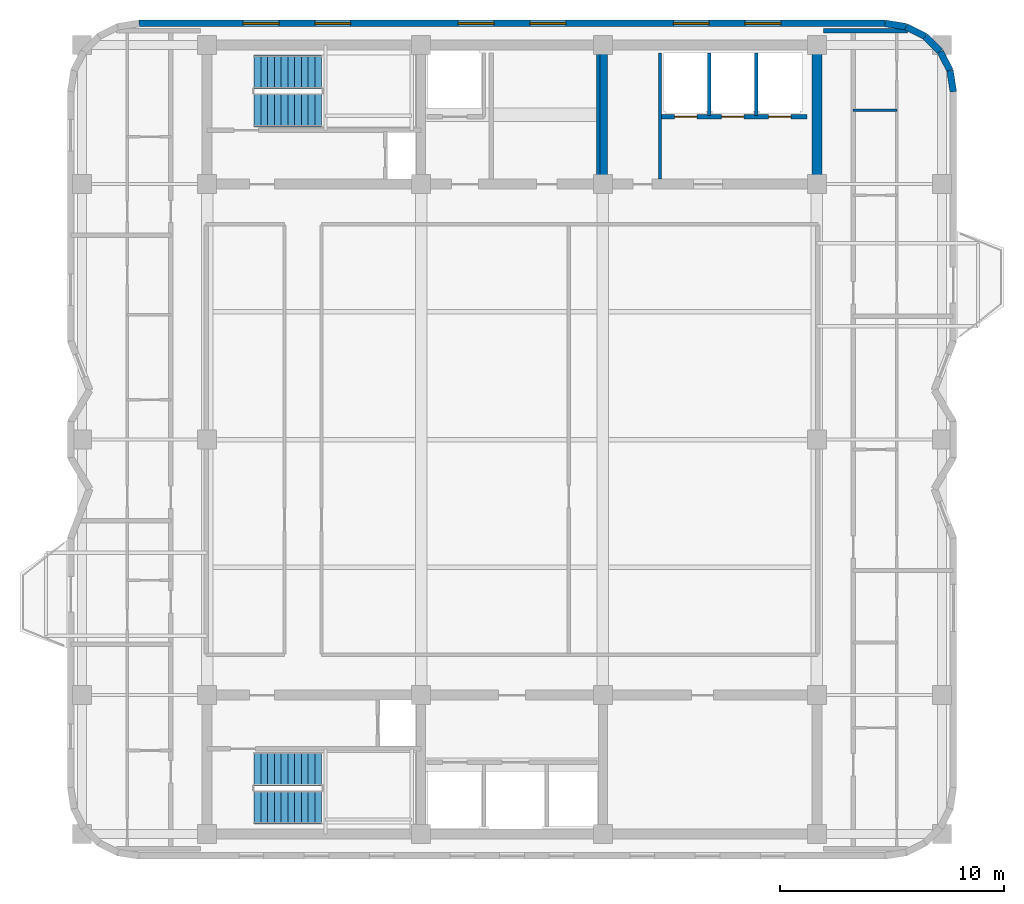
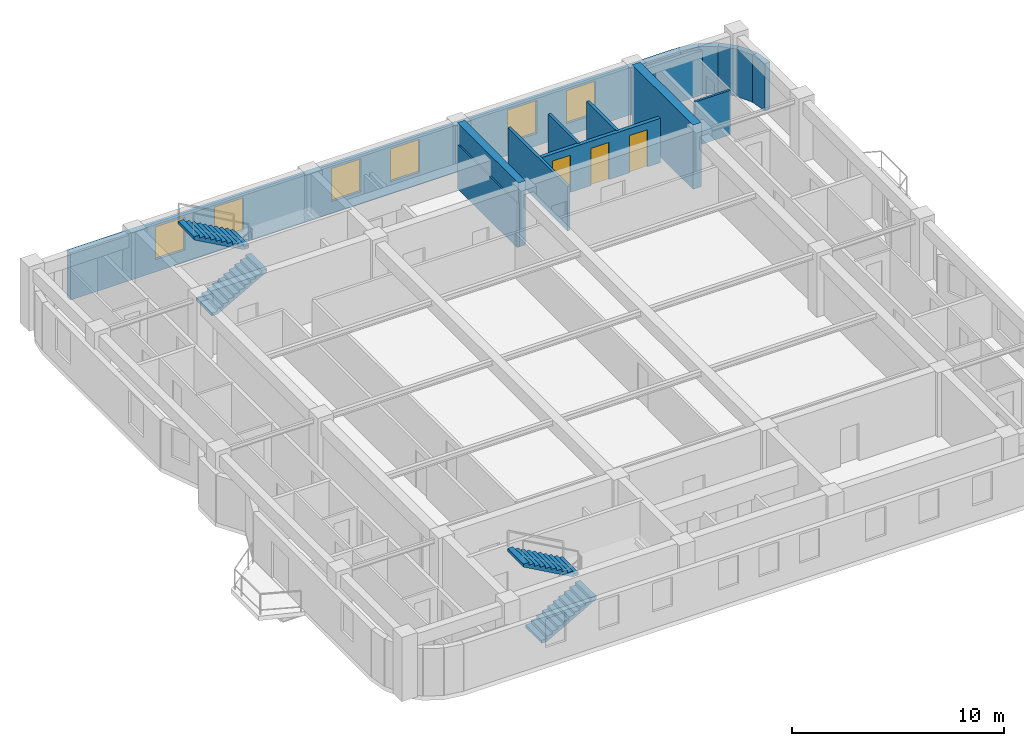
# One storey, part 6 of 8: 15 walls, 6 windows, 4 stair flights, 3 doors, 9 openings, 2 elements without a shape of their own.
"""IFC4 building model written with IfcOpenShell, lengths in metres."""

from ifc_helpers import new_model, si_unit, direction, frame, frame_2d, origin, place, context, subcontext, project, spatial, polyline, rectangle, outline, extrude, material, layer, layer_set, type_object, element, fill, aggregate, save


model = new_model("IFC4")

# Units and contexts
model_context = context("Model", 3, precision=1e-05, world=origin(), true_north=direction((0.0, 1.0)))
body_context = subcontext(model_context, "Body", "Model", "MODEL_VIEW")
ifc_project = project(units=[si_unit("LENGTHUNIT", "METRE"), si_unit("AREAUNIT", "SQUARE_METRE"), si_unit("VOLUMEUNIT", "CUBIC_METRE"), si_unit("PLANEANGLEUNIT", "RADIAN"), si_unit("MASSUNIT", "GRAM", prefix="KILO")], contexts=[model_context])

# Site, building, storey
site_placement = place(None, origin())
site = spatial("IfcSite", under=ifc_project, at=site_placement, CompositionType="ELEMENT")
building_placement = place(site_placement, origin())
building = spatial("IfcBuilding", under=site, at=building_placement, Name="Svetorya Sky Lyceum", CompositionType="ELEMENT")
storey_placement = place(building_placement, frame((0.0, 0.0, 233.199951171875)))
storey = spatial("IfcBuildingStorey", under=building, at=storey_placement, Name="L58", CompositionType="ELEMENT", Elevation=233.199951171875)

# Walls
ifc_material_1 = material(Name="Concrete C40/50", Category="concrete")
ifc_layer_1 = layer(ifc_material_1, 0.39990234375)
ifc_layer_set_1 = layer_set([ifc_layer_1], Name="Concrete C40/50")
wall_type_1 = type_object("IfcWallType", Name="WL-CORE-400", PredefinedType="SHEAR", material=ifc_layer_set_1)
wall_1_placement = place(storey_placement, frame((43.25, 39.824951171875, 0.0), z_axis=(0.0, 0.0, 1.0), x_axis=(0.0, 1.0, 0.0)))
element("IfcWall", 1, at=wall_1_placement, inside=storey, type_object=wall_type_1, Name="L58 NC Internal Shear Web WEB2", PredefinedType="SHEAR", context=body_context, shape_type="SweptSolid", body=[
    extrude(rectangle(XDim=5.75, YDim=0.39990234375, at=frame_2d((2.875, 0.0))), origin(), (0.0, 0.0, 1.0), 3.699951171875),
])
ifc_material_2 = material(Name="Concrete C50/60", Category="concrete")
ifc_layer_2 = layer(ifc_material_2, 0.449951171875)
ifc_layer_set_2 = layer_set([ifc_layer_2], Name="Concrete C50/60")
wall_type_2 = type_object("IfcWallType", Name="WL-CORE-450", PredefinedType="SHEAR", material=ifc_layer_set_2)
wall_2_placement = place(storey_placement, frame((52.800048828125, 39.824951171875, 0.0), z_axis=(0.0, 0.0, 1.0), x_axis=(0.0, 1.0, 0.0)))
element("IfcWall", 2, at=wall_2_placement, inside=storey, type_object=wall_type_2, Name="L58 NC East Core Shear Wall", PredefinedType="SHEAR", context=body_context, shape_type="SweptSolid", body=[
    extrude(rectangle(XDim=5.75, YDim=0.449951171875, at=frame_2d((2.875, 0.0))), origin(), (0.0, 0.0, 1.0), 3.699951171875),
])
ifc_material_3 = material(Name="Putilovo limestone rainscreen on autoclaved cellular masonry", Category="masonry")
ifc_layer_3 = layer(ifc_material_3, 0.300048828125)
ifc_layer_set_3 = layer_set([ifc_layer_3], Name="Putilovo limestone rainscreen on autoclaved cellular masonry")
wall_type_3 = type_object("IfcWallType", Name="WL-EXT-300", PredefinedType="SOLIDWALL", material=ifc_layer_set_3)
wall_3_placement = place(storey_placement, frame((58.889892578125, 43.719970703125, 0.0), z_axis=(0.0, 0.0, 1.0), x_axis=(-0.156304114255, 0.987708977314, 0.0)))
element("IfcWall", 3, at=wall_3_placement, inside=storey, type_object=wall_type_3, Name="L58 Limestone Exterior Wall 19M", PredefinedType="SOLIDWALL", context=body_context, shape_type="SweptSolid", body=[
    extrude(rectangle(XDim=0.954345703125, YDim=0.300048828125, at=frame_2d((0.47705078125, 0.0))), origin(), (0.0, 0.0, 1.0), 2.72998046875),
])
wall_4_placement = place(storey_placement, frame((58.74072265625, 44.66259765625, 0.0), z_axis=(0.0, 0.0, 1.0), x_axis=(-0.45395644796, 0.891023873617, 0.0)))
element("IfcWall", 4, at=wall_4_placement, inside=storey, type_object=wall_type_3, Name="L58 Limestone Exterior Wall 20M", PredefinedType="SOLIDWALL", context=body_context, shape_type="SweptSolid", body=[
    extrude(rectangle(XDim=0.9541015625, YDim=0.300048828125, at=frame_2d((0.47705078125, 0.0))), origin(), (0.0, 0.0, 1.0), 2.72998046875),
])
for number, where, z_axis, x_axis, name in (
    (5, (58.3076171875, 45.5126953125, 0.0), (0.0, 0.0, 1.0), (-0.707106781187, 0.707106781187, 0.0), "L58 Limestone Exterior Wall 21M"),
    (6, (57.6328125, 46.1875, 0.0), (0.0, 0.0, 1.0), (-0.891076589373, 0.453852962833, 0.0), "L58 Limestone Exterior Wall 22M"),
):
    element("IfcWall", number, at=place(storey_placement, frame(where, z_axis=z_axis, x_axis=x_axis)), inside=storey, type_object=wall_type_3, Name=name, PredefinedType="SOLIDWALL", context=body_context, shape_type="SweptSolid", body=[
        extrude(rectangle(XDim=0.954345703125, YDim=0.300048828125, at=frame_2d((0.47705078125, 0.0))), origin(), (0.0, 0.0, 1.0), 2.72998046875),
    ])
wall_5_placement = place(storey_placement, frame((56.782470703125, 46.62060546875, 0.0), z_axis=(0.0, 0.0, 1.0), x_axis=(-0.987663181641, 0.156593229835, 0.0)))
element("IfcWall", 7, at=wall_5_placement, inside=storey, type_object=wall_type_3, Name="L58 Limestone Exterior Wall 23M", PredefinedType="SOLIDWALL", context=body_context, shape_type="SweptSolid", body=[
    extrude(rectangle(XDim=0.9541015625, YDim=0.300048828125, at=frame_2d((0.47705078125, 0.0))), origin(), (0.0, 0.0, 1.0), 2.72998046875),
])

# Wall, openings, windows
wall_6_placement = place(storey_placement, frame((55.840087890625, 46.77001953125, 0.0), z_axis=(0.0, 0.0, 1.0), x_axis=(-1.0, 0.0, 0.0)))
wall_6 = element("IfcWall", 8, at=wall_6_placement, inside=storey, type_object=wall_type_3, Name="L58 Limestone Exterior Wall 24M", PredefinedType="SOLIDWALL", context=body_context, shape_type="SweptSolid", body=[
    extrude(rectangle(XDim=33.280029296875, YDim=0.300048828125, at=frame_2d((16.64013671875, 0.0))), origin(), (0.0, 0.0, 1.0), 2.72998046875),
])
opening_1_placement = place(wall_6_placement, frame((4.64697265625, 0.0, 0.7099609375)))
opening_1 = element("IfcOpeningElement", 9, at=opening_1_placement, cuts=wall_6, Name="Opening W-R4", PredefinedType="OPENING", context=body_context, shape_type="SweptSolid", body=[
    extrude(rectangle(XDim=1.60009765625, YDim=1.89990234375, at=frame_2d((0.800048828125, 0.949951171875))), frame((0.0, 0.159912109375, 0.0), z_axis=(0.0, -1.0, 0.0), x_axis=(1.0, 0.0, 0.0)), (0.0, 0.0, 1.0), 0.320068359375),
])
opening_2_placement = place(wall_6_placement, frame((7.844970703125, 0.0, 0.7099609375)))
opening_2 = element("IfcOpeningElement", 10, at=opening_2_placement, cuts=wall_6, Name="Opening W-R4", PredefinedType="OPENING", context=body_context, shape_type="SweptSolid", body=[
    extrude(rectangle(XDim=1.60009765625, YDim=1.89990234375, at=frame_2d((0.800048828125, 0.949951171875))), frame((0.0, 0.159912109375, 0.0), z_axis=(0.0, -1.0, 0.0), x_axis=(1.0, 0.0, 0.0)), (0.0, 0.0, 1.0), 0.320068359375),
])
opening_3_placement = place(wall_6_placement, frame((14.240966796875, 0.0, 0.7099609375)))
opening_3 = element("IfcOpeningElement", 11, at=opening_3_placement, cuts=wall_6, Name="Opening W-R4", PredefinedType="OPENING", context=body_context, shape_type="SweptSolid", body=[
    extrude(rectangle(XDim=1.60009765625, YDim=1.89990234375, at=frame_2d((0.800048828125, 0.949951171875))), frame((0.0, 0.159912109375, 0.0), z_axis=(0.0, -1.0, 0.0), x_axis=(1.0, 0.0, 0.0)), (0.0, 0.0, 1.0), 0.320068359375),
])
opening_4_placement = place(wall_6_placement, frame((17.43896484375, 0.0, 0.7099609375)))
opening_4 = element("IfcOpeningElement", 12, at=opening_4_placement, cuts=wall_6, Name="Opening W-R4", PredefinedType="OPENING", context=body_context, shape_type="SweptSolid", body=[
    extrude(rectangle(XDim=1.60009765625, YDim=1.89990234375, at=frame_2d((0.800048828125, 0.949951171875))), frame((0.0, 0.159912109375, 0.0), z_axis=(0.0, -1.0, 0.0), x_axis=(1.0, 0.0, 0.0)), (0.0, 0.0, 1.0), 0.320068359375),
])
opening_5_placement = place(wall_6_placement, frame((23.8349609375, 0.0, 0.7099609375)))
opening_5 = element("IfcOpeningElement", 13, at=opening_5_placement, cuts=wall_6, Name="Opening W-R4", PredefinedType="OPENING", context=body_context, shape_type="SweptSolid", body=[
    extrude(rectangle(XDim=1.60009765625, YDim=1.89990234375, at=frame_2d((0.800048828125, 0.949951171875))), frame((0.0, 0.159912109375, 0.0), z_axis=(0.0, -1.0, 0.0), x_axis=(1.0, 0.0, 0.0)), (0.0, 0.0, 1.0), 0.320068359375),
])
opening_6_placement = place(wall_6_placement, frame((27.032958984375, 0.0, 0.7099609375)))
opening_6 = element("IfcOpeningElement", 14, at=opening_6_placement, cuts=wall_6, Name="Opening W-R4", PredefinedType="OPENING", context=body_context, shape_type="SweptSolid", body=[
    extrude(rectangle(XDim=1.60009765625, YDim=1.89990234375, at=frame_2d((0.800048828125, 0.949951171875))), frame((0.0, 0.159912109375, 0.0), z_axis=(0.0, -1.0, 0.0), x_axis=(1.0, 0.0, 0.0)), (0.0, 0.0, 1.0), 0.320068359375),
])
ifc_material_4 = material(Name="Thermally broken aluminium frame with triple low-E glazing", Category="aluminium")
window_type = type_object("IfcWindowType", Name="WN-RES-160", PartitioningType="DOUBLE_PANEL_VERTICAL", PredefinedType="WINDOW", material=ifc_material_4)
window_1_placement = place(opening_1_placement, origin())
window_1 = element("IfcWindow", 15, at=window_1_placement, inside=storey, type_object=window_type, Name="L58 Facade Window W-R4.24M.1", OverallHeight=1.89990234375, OverallWidth=1.60009765625, PartitioningType="SINGLE_PANEL", PredefinedType="WINDOW", context=body_context, shape_type="SweptSolid", body=[
    extrude(rectangle(XDim=1.60009765625, YDim=1.89990234375, at=frame_2d((0.800048828125, 0.949951171875))), frame((0.0, 0.030029296875, 0.0), z_axis=(0.0, -1.0, 0.0), x_axis=(1.0, 0.0, 0.0)), (0.0, 0.0, 1.0), 0.06005859375),
])
fill(opening_1, window_1)
window_2_placement = place(opening_2_placement, origin())
window_2 = element("IfcWindow", 16, at=window_2_placement, inside=storey, type_object=window_type, Name="L58 Facade Window W-R4.24M.2", OverallHeight=1.89990234375, OverallWidth=1.60009765625, PartitioningType="SINGLE_PANEL", PredefinedType="WINDOW", context=body_context, shape_type="SweptSolid", body=[
    extrude(rectangle(XDim=1.60009765625, YDim=1.89990234375, at=frame_2d((0.800048828125, 0.949951171875))), frame((0.0, 0.030029296875, 0.0), z_axis=(0.0, -1.0, 0.0), x_axis=(1.0, 0.0, 0.0)), (0.0, 0.0, 1.0), 0.06005859375),
])
fill(opening_2, window_2)
window_3_placement = place(opening_3_placement, origin())
window_3 = element("IfcWindow", 17, at=window_3_placement, inside=storey, type_object=window_type, Name="L58 Facade Window W-R4.24M.3", OverallHeight=1.89990234375, OverallWidth=1.60009765625, PartitioningType="SINGLE_PANEL", PredefinedType="WINDOW", context=body_context, shape_type="SweptSolid", body=[
    extrude(rectangle(XDim=1.60009765625, YDim=1.89990234375, at=frame_2d((0.800048828125, 0.949951171875))), frame((0.0, 0.030029296875, 0.0), z_axis=(0.0, -1.0, 0.0), x_axis=(1.0, 0.0, 0.0)), (0.0, 0.0, 1.0), 0.06005859375),
])
fill(opening_3, window_3)
window_4_placement = place(opening_4_placement, origin())
window_4 = element("IfcWindow", 18, at=window_4_placement, inside=storey, type_object=window_type, Name="L58 Facade Window W-R4.24M.4", OverallHeight=1.89990234375, OverallWidth=1.60009765625, PartitioningType="SINGLE_PANEL", PredefinedType="WINDOW", context=body_context, shape_type="SweptSolid", body=[
    extrude(rectangle(XDim=1.60009765625, YDim=1.89990234375, at=frame_2d((0.800048828125, 0.949951171875))), frame((0.0, 0.030029296875, 0.0), z_axis=(0.0, -1.0, 0.0), x_axis=(1.0, 0.0, 0.0)), (0.0, 0.0, 1.0), 0.06005859375),
])
fill(opening_4, window_4)
window_5_placement = place(opening_5_placement, origin())
window_5 = element("IfcWindow", 19, at=window_5_placement, inside=storey, type_object=window_type, Name="L58 Facade Window W-R4.24M.5", OverallHeight=1.89990234375, OverallWidth=1.60009765625, PartitioningType="SINGLE_PANEL", PredefinedType="WINDOW", context=body_context, shape_type="SweptSolid", body=[
    extrude(rectangle(XDim=1.60009765625, YDim=1.89990234375, at=frame_2d((0.800048828125, 0.949951171875))), frame((0.0, 0.030029296875, 0.0), z_axis=(0.0, -1.0, 0.0), x_axis=(1.0, 0.0, 0.0)), (0.0, 0.0, 1.0), 0.06005859375),
])
fill(opening_5, window_5)
window_6_placement = place(opening_6_placement, origin())
window_6 = element("IfcWindow", 20, at=window_6_placement, inside=storey, type_object=window_type, Name="L58 Facade Window W-R4.24M.6", OverallHeight=1.89990234375, OverallWidth=1.60009765625, PartitioningType="SINGLE_PANEL", PredefinedType="WINDOW", context=body_context, shape_type="SweptSolid", body=[
    extrude(rectangle(XDim=1.60009765625, YDim=1.89990234375, at=frame_2d((0.800048828125, 0.949951171875))), frame((0.0, 0.030029296875, 0.0), z_axis=(0.0, -1.0, 0.0), x_axis=(1.0, 0.0, 0.0)), (0.0, 0.0, 1.0), 0.06005859375),
])
fill(opening_6, window_6)

# Walls
ifc_material_5 = material(Name="Twin-stud galvanized framing with double fireboard", Category="gypsum")
ifc_layer_4 = layer(ifc_material_5, 0.1201171875)
ifc_layer_set_4 = layer_set([ifc_layer_4], Name="Twin-stud galvanized framing with double fireboard")
wall_type_4 = type_object("IfcWallType", Name="WL-PART-120", PredefinedType="PARTITIONING", material=ifc_layer_set_4)
wall_7_placement = place(storey_placement, frame((54.419921875, 42.89990234375, 0.0), z_axis=(0.0, 0.0, 1.0), x_axis=(1.0, 0.0, 0.0)))
element("IfcWall", 21, at=wall_7_placement, inside=storey, type_object=wall_type_4, Name="L58 Interior Partition E3-WH2", PredefinedType="PARTITIONING", context=body_context, shape_type="SweptSolid", body=[
    extrude(rectangle(XDim=1.9501953125, YDim=0.1201171875, at=frame_2d((0.97509765625, 0.0))), origin(), (0.0, 0.0, 1.0), 2.56005859375),
])
ifc_material_6 = material(Name="Autoclaved cellular masonry blockwork with acoustic render", Category="masonry")
ifc_layer_5 = layer(ifc_material_6, 0.14990234375)
ifc_layer_set_5 = layer_set([ifc_layer_5], Name="Autoclaved cellular masonry blockwork with acoustic render")
wall_type_5 = type_object("IfcWallType", Name="WL-PART-150", PredefinedType="PARTITIONING", material=ifc_layer_set_5)
for number, where, z_axis, x_axis, name in (
    (22, (43.050048828125, 39.820068359375, 0.0), (0.0, 0.0, 1.0), (0.0, 1.0, 0.0), "L58 Interior Partition NC-FPM-END"),
    (23, (45.800048828125, 39.820068359375, 0.0), (0.0, 0.0, 1.0), (0.0, 1.0, 0.0), "L58 Interior Partition NC-PM3-FULL"),
):
    element("IfcWall", number, at=place(storey_placement, frame(where, z_axis=z_axis, x_axis=x_axis)), inside=storey, type_object=wall_type_5, Name=name, PredefinedType="PARTITIONING", context=body_context, shape_type="SweptSolid", body=[
        extrude(rectangle(XDim=5.6298828125, YDim=0.14990234375, at=frame_2d((2.81494140625, 0.0))), origin(), (0.0, 0.0, 1.0), 2.56005859375),
    ])
for number, where, z_axis, x_axis, name in (
    (24, (48.0, 42.64990234375, 0.0), (0.0, 0.0, 1.0), (0.0, 1.0, 0.0), "L58 Interior Partition NC-PH-D1"),
    (25, (50.10009765625, 42.64990234375, 0.0), (0.0, 0.0, 1.0), (0.0, 1.0, 0.0), "L58 Interior Partition NC-PH-D2"),
):
    element("IfcWall", number, at=place(storey_placement, frame(where, z_axis=z_axis, x_axis=x_axis)), inside=storey, type_object=wall_type_5, Name=name, PredefinedType="PARTITIONING", context=body_context, shape_type="SweptSolid", body=[
        extrude(rectangle(XDim=2.800048828125, YDim=0.14990234375, at=frame_2d((1.39990234375, 0.0))), origin(), (0.0, 0.0, 1.0), 2.56005859375),
    ])

# Wall, openings, doors
ifc_material_7 = material(Name="Autoclaved cellular masonry blockwork with gypsum plaster", Category="masonry")
ifc_layer_6 = layer(ifc_material_7, 0.199951171875)
ifc_layer_set_6 = layer_set([ifc_layer_6], Name="Autoclaved cellular masonry blockwork with gypsum plaster")
wall_type_6 = type_object("IfcWallType", Name="WL-PART-200", PredefinedType="PARTITIONING", material=ifc_layer_set_6)
wall_8_placement = place(storey_placement, frame((52.35009765625, 42.60009765625, 0.0), z_axis=(0.0, 0.0, 1.0), x_axis=(-1.0, 0.0, 0.0)))
wall_8 = element("IfcWall", 26, at=wall_8_placement, inside=storey, type_object=wall_type_6, Name="L58 Interior Partition NC-PHEW", PredefinedType="PARTITIONING", context=body_context, shape_type="SweptSolid", body=[
    extrude(rectangle(XDim=6.5, YDim=0.199951171875, at=frame_2d((3.25, 0.0))), origin(), (0.0, 0.0, 1.0), 2.56005859375),
])
opening_7_placement = place(wall_8_placement, frame((4.89990234375, 0.0, 0.0)))
opening_7 = element("IfcOpeningElement", 27, at=opening_7_placement, cuts=wall_8, Name="Opening LD-P1", PredefinedType="OPENING", context=body_context, shape_type="SweptSolid", body=[
    extrude(rectangle(XDim=1.0, YDim=2.14990234375, at=frame_2d((0.5, 1.074951171875))), frame((0.0, 0.10986328125, 0.0), z_axis=(0.0, -1.0, 0.0), x_axis=(1.0, 0.0, 0.0)), (0.0, 0.0, 1.0), 0.219970703125),
])
opening_8_placement = place(wall_8_placement, frame((2.800048828125, 0.0, 0.0)))
opening_8 = element("IfcOpeningElement", 28, at=opening_8_placement, cuts=wall_8, Name="Opening LD-P1", PredefinedType="OPENING", context=body_context, shape_type="SweptSolid", body=[
    extrude(rectangle(XDim=1.0, YDim=2.14990234375, at=frame_2d((0.5, 1.074951171875))), frame((0.0, 0.10986328125, 0.0), z_axis=(0.0, -1.0, 0.0), x_axis=(1.0, 0.0, 0.0)), (0.0, 0.0, 1.0), 0.219970703125),
])
opening_9_placement = place(wall_8_placement, frame((0.699951171875, 0.0, 0.0)))
opening_9 = element("IfcOpeningElement", 29, at=opening_9_placement, cuts=wall_8, Name="Opening LD-P1", PredefinedType="OPENING", context=body_context, shape_type="SweptSolid", body=[
    extrude(rectangle(XDim=1.0, YDim=2.14990234375, at=frame_2d((0.5, 1.074951171875))), frame((0.0, 0.10986328125, 0.0), z_axis=(0.0, -1.0, 0.0), x_axis=(1.0, 0.0, 0.0)), (0.0, 0.0, 1.0), 0.219970703125),
])
ifc_material_8 = material(Name="Champagne-anodized stainless passenger lift landing door")
door_type = type_object("IfcDoorType", Name="DR-LIFT-1000", OperationType="SLIDING_TO_LEFT", PredefinedType="DOOR", material=ifc_material_8)
door_1_placement = place(opening_7_placement, origin())
door_1 = element("IfcDoor", 30, at=door_1_placement, inside=storey, type_object=door_type, Name="L58 Passenger Lift PH1 Landing Door", OperationType="SLIDING_TO_LEFT", OverallHeight=2.14990234375, OverallWidth=1.0, PredefinedType="DOOR", context=body_context, shape_type="SweptSolid", body=[
    extrude(rectangle(XDim=1.0, YDim=2.14990234375, at=frame_2d((0.5, 1.074951171875))), frame((0.0, 0.02490234375, 0.0), z_axis=(0.0, -1.0, 0.0), x_axis=(1.0, 0.0, 0.0)), (0.0, 0.0, 1.0), 0.050048828125),
])
fill(opening_7, door_1)
door_2_placement = place(opening_8_placement, origin())
door_2 = element("IfcDoor", 31, at=door_2_placement, inside=storey, type_object=door_type, Name="L58 Passenger Lift PH2 Landing Door", OperationType="SLIDING_TO_LEFT", OverallHeight=2.14990234375, OverallWidth=1.0, PredefinedType="DOOR", context=body_context, shape_type="SweptSolid", body=[
    extrude(rectangle(XDim=1.0, YDim=2.14990234375, at=frame_2d((0.5, 1.074951171875))), frame((0.0, 0.02490234375, 0.0), z_axis=(0.0, -1.0, 0.0), x_axis=(1.0, 0.0, 0.0)), (0.0, 0.0, 1.0), 0.050048828125),
])
fill(opening_8, door_2)
door_3_placement = place(opening_9_placement, origin())
door_3 = element("IfcDoor", 32, at=door_3_placement, inside=storey, type_object=door_type, Name="L58 Passenger Lift PH3 Landing Door", OperationType="SLIDING_TO_LEFT", OverallHeight=2.14990234375, OverallWidth=1.0, PredefinedType="DOOR", context=body_context, shape_type="SweptSolid", body=[
    extrude(rectangle(XDim=1.0, YDim=2.14990234375, at=frame_2d((0.5, 1.074951171875))), frame((0.0, 0.02490234375, 0.0), z_axis=(0.0, -1.0, 0.0), x_axis=(1.0, 0.0, 0.0)), (0.0, 0.0, 1.0), 0.050048828125),
])
fill(opening_9, door_3)

# Wall
wall_9_placement = place(storey_placement, frame((53.10009765625, 46.449951171875, 0.0), z_axis=(0.0, 0.0, 1.0), x_axis=(1.0, 0.0, 0.0)))
element("IfcWall", 33, at=wall_9_placement, inside=storey, type_object=wall_type_6, Name="L58 Interior Partition E-CAP-N", PredefinedType="PARTITIONING", context=body_context, shape_type="SweptSolid", body=[
    extrude(rectangle(XDim=3.75390625, YDim=0.199951171875, at=frame_2d((1.876953125, 0.0))), origin(), (0.0, 0.0, 1.0), 2.56005859375),
])

# Stair, stair flights
stair_type_1 = type_object("IfcStairType", Name="STR-ST-N", PredefinedType="HALF_TURN_STAIR", material=ifc_material_1)
stair_1_placement = place(storey_placement, origin())
stair_1 = element("IfcStair", 34, at=stair_1_placement, inside=storey, type_object=stair_type_1, Name="L58 North Core Smoke-Free Exit Stair N3", PredefinedType="HALF_TURN_STAIR")
stair_flight_type_1 = type_object("IfcStairFlightType", Name="SFL-ST-N", PredefinedType="STRAIGHT", material=ifc_material_1)
stair_flight_1_placement = place(storey_placement, frame((27.699951171875, 42.89990234375, 0.0), z_axis=(0.0, 0.0, 1.0), x_axis=(1.0, 0.0, 0.0)))
stair_flight_1 = element("IfcStairFlight", 35, at=stair_flight_1_placement, type_object=stair_flight_type_1, Name="ST-N flight 1", NumberOfRisers=11, NumberOfTreads=10, PredefinedType="STRAIGHT", RiserHeight=0.168181818, TreadLength=0.3, context=body_context, shape_type="SweptSolid", body=[
    extrude(outline(polyline([(0.0, 0.0), (0.0, 0.168212890625), (0.300048828125, 0.168212890625), (0.300048828125, 0.33642578125), (0.60009765625, 0.33642578125), (0.60009765625, 0.504638671875), (0.89990234375, 0.504638671875), (0.89990234375, 0.672607421875), (1.199951171875, 0.672607421875), (1.199951171875, 0.8408203125), (1.5, 0.8408203125), (1.5, 1.009033203125), (1.800048828125, 1.009033203125), (1.800048828125, 1.17724609375), (2.10009765625, 1.17724609375), (2.10009765625, 1.345458984375), (2.39990234375, 1.345458984375), (2.39990234375, 1.513671875), (2.699951171875, 1.513671875), (2.699951171875, 1.681884765625), (3.0, 1.681884765625), (3.0, 1.85009765625), (3.0, 1.510009765625), (0.306640625, 0.0), (0.0, 0.0)])), frame((0.0, 0.75, 0.0), z_axis=(0.0, -1.0, 0.0), x_axis=(1.0, 0.0, 0.0)), (0.0, 0.0, 1.0), 1.5),
])
stair_flight_2_placement = place(storey_placement, frame((30.699951171875, 44.60009765625, 1.85009765625), z_axis=(0.0, 0.0, 1.0), x_axis=(-1.0, 0.0, 0.0)))
stair_flight_2 = element("IfcStairFlight", 36, at=stair_flight_2_placement, type_object=stair_flight_type_1, Name="ST-N flight 2", NumberOfRisers=11, NumberOfTreads=10, PredefinedType="STRAIGHT", RiserHeight=0.168181818, TreadLength=0.3, context=body_context, shape_type="SweptSolid", body=[
    extrude(outline(polyline([(0.0, 0.0), (0.0, 0.168212890625), (0.300048828125, 0.168212890625), (0.300048828125, 0.33642578125), (0.60009765625, 0.33642578125), (0.60009765625, 0.504638671875), (0.89990234375, 0.504638671875), (0.89990234375, 0.672607421875), (1.199951171875, 0.672607421875), (1.199951171875, 0.8408203125), (1.5, 0.8408203125), (1.5, 1.009033203125), (1.800048828125, 1.009033203125), (1.800048828125, 1.17724609375), (2.10009765625, 1.17724609375), (2.10009765625, 1.345458984375), (2.39990234375, 1.345458984375), (2.39990234375, 1.513671875), (2.699951171875, 1.513671875), (2.699951171875, 1.681884765625), (3.0, 1.681884765625), (3.0, 1.85009765625), (3.0, 1.510009765625), (0.306640625, 0.0), (0.0, 0.0)])), frame((0.0, 0.75, 0.0), z_axis=(0.0, -1.0, 0.0), x_axis=(1.0, 0.0, 0.0)), (0.0, 0.0, 1.0), 1.5),
])
aggregate(stair_1, [stair_flight_1, stair_flight_2])

stair_type_2 = type_object("IfcStairType", Name="STR-ST-S", PredefinedType="HALF_TURN_STAIR", material=ifc_material_1)
stair_2_placement = place(storey_placement, origin())
stair_2 = element("IfcStair", 37, at=stair_2_placement, inside=storey, type_object=stair_type_2, Name="L58 South Core Smoke-Free Exit Stair N2", PredefinedType="HALF_TURN_STAIR")
stair_flight_type_2 = type_object("IfcStairFlightType", Name="SFL-ST-S", PredefinedType="STRAIGHT", material=ifc_material_1)
stair_flight_3_placement = place(storey_placement, frame((27.699951171875, 11.800048828125, 0.0), z_axis=(0.0, 0.0, 1.0), x_axis=(1.0, 0.0, 0.0)))
stair_flight_3 = element("IfcStairFlight", 38, at=stair_flight_3_placement, type_object=stair_flight_type_2, Name="ST-S flight 1", NumberOfRisers=11, NumberOfTreads=10, PredefinedType="STRAIGHT", RiserHeight=0.168181818, TreadLength=0.3, context=body_context, shape_type="SweptSolid", body=[
    extrude(outline(polyline([(0.0, 0.0), (0.0, 0.168212890625), (0.300048828125, 0.168212890625), (0.300048828125, 0.33642578125), (0.60009765625, 0.33642578125), (0.60009765625, 0.504638671875), (0.89990234375, 0.504638671875), (0.89990234375, 0.672607421875), (1.199951171875, 0.672607421875), (1.199951171875, 0.8408203125), (1.5, 0.8408203125), (1.5, 1.009033203125), (1.800048828125, 1.009033203125), (1.800048828125, 1.17724609375), (2.10009765625, 1.17724609375), (2.10009765625, 1.345458984375), (2.39990234375, 1.345458984375), (2.39990234375, 1.513671875), (2.699951171875, 1.513671875), (2.699951171875, 1.681884765625), (3.0, 1.681884765625), (3.0, 1.85009765625), (3.0, 1.510009765625), (0.306640625, 0.0), (0.0, 0.0)])), frame((0.0, 0.75, 0.0), z_axis=(0.0, -1.0, 0.0), x_axis=(1.0, 0.0, 0.0)), (0.0, 0.0, 1.0), 1.5),
])
stair_flight_4_placement = place(storey_placement, frame((30.699951171875, 13.5, 1.85009765625), z_axis=(0.0, 0.0, 1.0), x_axis=(-1.0, 0.0, 0.0)))
stair_flight_4 = element("IfcStairFlight", 39, at=stair_flight_4_placement, type_object=stair_flight_type_2, Name="ST-S flight 2", NumberOfRisers=11, NumberOfTreads=10, PredefinedType="STRAIGHT", RiserHeight=0.168181818, TreadLength=0.3, context=body_context, shape_type="SweptSolid", body=[
    extrude(outline(polyline([(0.0, 0.0), (0.0, 0.168212890625), (0.300048828125, 0.168212890625), (0.300048828125, 0.33642578125), (0.60009765625, 0.33642578125), (0.60009765625, 0.504638671875), (0.89990234375, 0.504638671875), (0.89990234375, 0.672607421875), (1.199951171875, 0.672607421875), (1.199951171875, 0.8408203125), (1.5, 0.8408203125), (1.5, 1.009033203125), (1.800048828125, 1.009033203125), (1.800048828125, 1.17724609375), (2.10009765625, 1.17724609375), (2.10009765625, 1.345458984375), (2.39990234375, 1.345458984375), (2.39990234375, 1.513671875), (2.699951171875, 1.513671875), (2.699951171875, 1.681884765625), (3.0, 1.681884765625), (3.0, 1.85009765625), (3.0, 1.510009765625), (0.306640625, 0.0), (0.0, 0.0)])), frame((0.0, 0.75, 0.0), z_axis=(0.0, -1.0, 0.0), x_axis=(1.0, 0.0, 0.0)), (0.0, 0.0, 1.0), 1.5),
])
aggregate(stair_2, [stair_flight_3, stair_flight_4])

save(model, "model.ifc")
